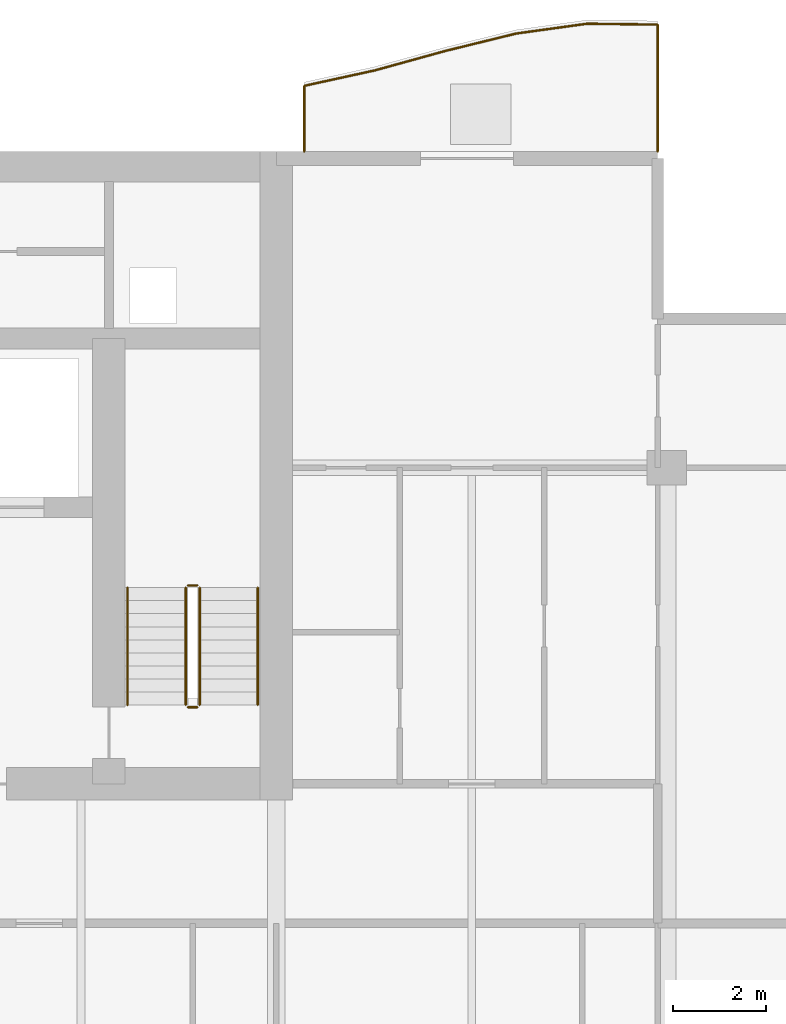
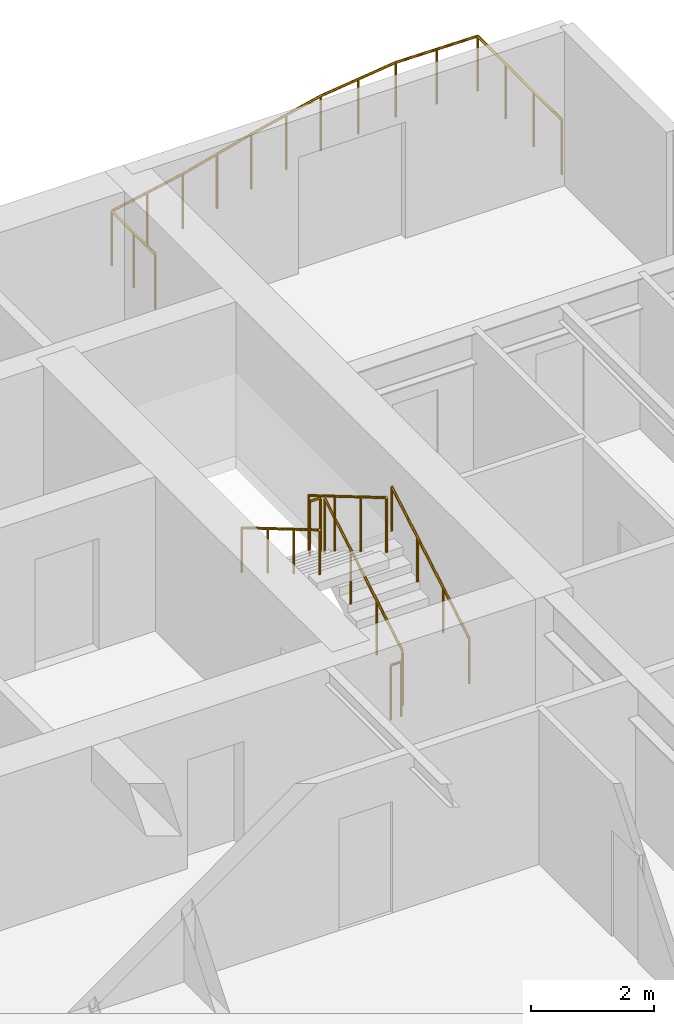
# One storey, part 15 of 16: 7 railings.
"""IFC4 building model written with IfcOpenShell, lengths in metres."""

import ifcopenshell
import ifcopenshell.guid

model = None  # the IFC model being written
_history = None  # IfcOwnerHistory: only IFC2X3 demands one
_inside = {}  # id of a spatial element -> (the spatial element, [elements in it])
_under = {}  # id of a project, library or spatial element -> (it, [spatial elements below it])
_declared = {}  # id of a project -> (the project, [libraries it declares])
_typed = {}  # id of a type object -> (the type object, [elements of that type])
_made_of = {}  # id of a material, layer set ... -> (it, [elements and type objects made of it])


def new_model(schema):
    """Start an empty IFC model of exactly this schema.

    Asked for "IFC4X3", IfcOpenShell would pick the latest addendum, in which some entities
    have other attributes; the version numbers below select the first issue.
    IFC2X3 requires an IfcOwnerHistory on every rooted entity: one is made here for all.
    """
    global model, _history
    if schema == "IFC4X3":
        model = ifcopenshell.file(schema_version=(4, 3, 0, 0))
    else:
        model = ifcopenshell.file(schema=schema)
    _inside.clear()
    _under.clear()
    _declared.clear()
    _typed.clear()
    _made_of.clear()
    _history = None
    if model.schema == "IFC2X3":
        org = make("IfcOrganization", Name="unknown")
        user = make(
            "IfcPersonAndOrganization",
            ThePerson=make("IfcPerson", FamilyName="unknown"),
            TheOrganization=org,
        )
        app = make(
            "IfcApplication",
            ApplicationDeveloper=org,
            Version="unknown",
            ApplicationFullName="unknown",
            ApplicationIdentifier="unknown",
        )
        _history = make(
            "IfcOwnerHistory",
            OwningUser=user,
            OwningApplication=app,
            ChangeAction="ADDED",
            CreationDate=0,
        )
    return model


def make(cls, **values):
    """One entity of the class cls with the attributes given. An attribute that is None is left unset."""
    return model.create_entity(
        cls, **{name: value for name, value in values.items() if value is not None}
    )


def rooted(cls, **values):
    """An entity with a GlobalId (a new one), such as an element, a storey or a relation."""
    return make(cls, GlobalId=ifcopenshell.guid.new(), OwnerHistory=_history, **values)


def si_unit(unit_type, name, prefix=None):
    """IfcSIUnit, for example si_unit("LENGTHUNIT", "METRE", prefix="MILLI")."""
    return make("IfcSIUnit", UnitType=unit_type, Prefix=prefix, Name=name)


def assignment(units):
    """IfcUnitAssignment: the units of a project."""
    return None if units is None else make("IfcUnitAssignment", Units=units)


def point(xyz):
    """IfcCartesianPoint."""
    return None if xyz is None else make("IfcCartesianPoint", Coordinates=xyz)


def direction(xyz):
    """IfcDirection."""
    return None if xyz is None else make("IfcDirection", DirectionRatios=xyz)


def frame(location, z_axis=None, x_axis=None):
    """IfcAxis2Placement3D, a coordinate frame: its origin and axes. An axis left out is left unset."""
    return make(
        "IfcAxis2Placement3D",
        Location=point(location),
        Axis=direction(z_axis),
        RefDirection=direction(x_axis),
    )


def frame_2d(location, x_axis=None):
    """IfcAxis2Placement2D, a coordinate frame in the plane: its origin and x axis."""
    return make(
        "IfcAxis2Placement2D", Location=point(location), RefDirection=direction(x_axis)
    )


def origin():
    """The frame at (0, 0, 0) with its axes left unset."""
    return frame((0.0, 0.0, 0.0))


def origin_2d():
    """The frame at (0, 0) in the plane with its x axis left unset."""
    return frame_2d((0.0, 0.0))


def place(relative_to, where):
    """IfcLocalPlacement: puts the frame where relative to a parent placement (None: the world)."""
    return make(
        "IfcLocalPlacement", PlacementRelTo=relative_to, RelativePlacement=where
    )


def context(
    kind, dimensions, precision=None, world=None, true_north=None, identifier=None
):
    """IfcGeometricRepresentationContext, for example the 3D "Model" context."""
    return make(
        "IfcGeometricRepresentationContext",
        ContextIdentifier=identifier,
        ContextType=kind,
        CoordinateSpaceDimension=dimensions,
        Precision=precision,
        WorldCoordinateSystem=world,
        TrueNorth=true_north,
    )


def subcontext(parent, identifier, kind, view, scale=None):
    """IfcGeometricRepresentationSubContext, for example "Body" below "Model"."""
    return make(
        "IfcGeometricRepresentationSubContext",
        ContextIdentifier=identifier,
        ContextType=kind,
        ParentContext=parent,
        TargetScale=scale,
        TargetView=view,
    )


def project(units=None, contexts=None):
    """IfcProject with its units and contexts."""
    return rooted(
        "IfcProject",
        Name="project",
        RepresentationContexts=contexts,
        UnitsInContext=assignment(units),
    )


def spatial(cls, under=None, at=None, **own):
    """A site, building, storey or space (cls), placed at a placement, below another one or the project."""
    s = rooted(cls, ObjectPlacement=at, **own)
    if under is not None:
        _under.setdefault(under.id(), (under, []))[1].append(s)
    return s


def profile(cls, at=None, kind="AREA", **sizes):
    """A parametric profile (cls). Its sizes go by their IFC names, for example OverallWidth=200.0."""
    return make(cls, ProfileType=kind, Position=at, **sizes)


def circle(**sizes):
    """IfcCircleProfileDef."""
    return profile("IfcCircleProfileDef", **sizes)


def extrude(swept, where, along, depth):
    """IfcExtrudedAreaSolid: the profile swept, set in the frame where, extruded along a direction by depth."""
    return make(
        "IfcExtrudedAreaSolid",
        SweptArea=swept,
        Position=where,
        ExtrudedDirection=direction(along),
        Depth=depth,
    )


def shape(context_of_items, identifier, shape_type, items):
    """IfcShapeRepresentation: the items that make up one representation, for example the "Body"."""
    return make(
        "IfcShapeRepresentation",
        ContextOfItems=context_of_items,
        RepresentationIdentifier=identifier,
        RepresentationType=shape_type,
        Items=items,
    )


def material(Name=None, Category=None):
    """IfcMaterial."""
    return make("IfcMaterial", Name=Name, Category=Category)


def made_of(thing, what):
    """Note that an element or type object is made of a material, layer set ...; save() writes the relation."""
    if what is not None:
        _made_of.setdefault(what.id(), (what, []))[1].append(thing)
    return thing


def type_object(cls, material=None, **own):
    """A type object (cls), such as IfcWallType, which elements share."""
    return made_of(rooted(cls, **own), material)


def element(
    cls,
    number,
    at=None,
    inside=None,
    cuts=None,
    type_object=None,
    material=None,
    context=None,
    identifier="Body",
    shape_type=None,
    held_by="IfcProductDefinitionShape",
    body=None,
    shapes=None,
    **own,
):
    """One element of the class cls, such as IfcWall. Its Tag is "e" and its number.

    at: its placement. inside: the storey or other place that contains it. cuts: it is an
    opening in that element (IfcRelVoidsElement). A single representation is given by context,
    identifier, shape_type and body (its items); several are given by shapes. held_by: the class
    of the entity that holds the representations. save() writes the other relations.
    """
    e = rooted(cls, Tag="e%d" % number, ObjectPlacement=at, **own)
    if body is not None:
        shapes = [shape(context, identifier, shape_type, body)]
    if shapes is not None:
        e.Representation = make(held_by, Representations=shapes)
    if inside is not None:
        _inside.setdefault(inside.id(), (inside, []))[1].append(e)
    if cuts is not None:
        rooted(
            "IfcRelVoidsElement", RelatingBuildingElement=cuts, RelatedOpeningElement=e
        )
    if type_object is not None:
        _typed.setdefault(type_object.id(), (type_object, []))[1].append(e)
    return made_of(e, material)


def aggregate(whole, parts):
    """IfcRelAggregates: a whole, such as a stair, and the parts it consists of."""
    return rooted("IfcRelAggregates", RelatingObject=whole, RelatedObjects=parts)


def save(model, path):
    """Write the relations noted so far, then the file.

    IfcRelAggregates (storeys below a building ...), IfcRelContainedInSpatialStructure (elements
    in a storey), IfcRelDefinesByType, IfcRelAssociatesMaterial and IfcRelDeclares: one each for
    every whole, place, type object, material and project.
    """
    for whole, parts in _under.values():
        aggregate(whole, parts)
    for where, things in _inside.values():
        rooted(
            "IfcRelContainedInSpatialStructure",
            RelatedElements=things,
            RelatingStructure=where,
        )
    for kind, things in _typed.values():
        rooted("IfcRelDefinesByType", RelatedObjects=things, RelatingType=kind)
    for what, things in _made_of.values():
        rooted("IfcRelAssociatesMaterial", RelatedObjects=things, RelatingMaterial=what)
    for by, libraries in _declared.values():
        rooted("IfcRelDeclares", RelatingContext=by, RelatedDefinitions=libraries)
    model.write(path)


model = new_model("IFC4")

# Units and contexts
model_context = context("Model", 3, precision=1e-05, world=origin(), true_north=direction((0.0, 1.0)))
body_context = subcontext(model_context, "Body", "Model", "MODEL_VIEW")
ifc_project = project(units=[si_unit("LENGTHUNIT", "METRE"), si_unit("AREAUNIT", "SQUARE_METRE"), si_unit("VOLUMEUNIT", "CUBIC_METRE"), si_unit("PLANEANGLEUNIT", "RADIAN"), si_unit("MASSUNIT", "GRAM", prefix="KILO")], contexts=[model_context])

# Site, building, storey
site_placement = place(None, origin())
site = spatial("IfcSite", under=ifc_project, at=site_placement, CompositionType="ELEMENT")
building_placement = place(site_placement, origin())
building = spatial("IfcBuilding", under=site, at=building_placement, Name="Caelmar Bay Residences", CompositionType="ELEMENT")
storey_placement = place(building_placement, frame((0.0, 0.0, 211.5)))
storey = spatial("IfcBuildingStorey", under=building, at=storey_placement, Name="L59", CompositionType="ELEMENT", Elevation=211.5)

# Railings
ifc_material_1 = material(Name="Anodised bronze handrail with laminated hurricane glass infill", Category="glass")
railing_type_1 = type_object("IfcRailingType", Name="RL-BAL-1100", PredefinedType="BALUSTRADE", material=ifc_material_1)
railing_1_placement = place(storey_placement, frame((67.699951171875, 50.60009765625, 0.0)))
element("IfcRailing", 1, at=railing_1_placement, inside=storey, type_object=railing_type_1, Name="L59 north_east Balcony Balustrade", PredefinedType="BALUSTRADE", context=body_context, shape_type="SweptSolid", body=[
    extrude(circle(Radius=0.02392578125, at=origin_2d()), frame((0.0, 0.0, 1.076171875), z_axis=(0.0, 1.0, 0.0), x_axis=(-1.0, 0.0, 0.0)), (0.0, 0.0, 1.0), 2.7294921875),
    extrude(circle(Radius=0.02392578125, at=origin_2d()), frame((0.0, 2.7294921875, 1.076171875), z_axis=(-0.999921532492, 0.012527124885, 0.0), x_axis=(-0.012527124885, -0.999921532492, 0.0)), (0.0, 0.0, 1.0), 1.52001953125),
    extrude(circle(Radius=0.02392578125, at=origin_2d()), frame((-1.52001953125, 2.74853515625, 1.076171875), z_axis=(-0.990551196857, -0.137143451926, 0.0), x_axis=(0.137143451926, -0.990551196857, 0.0)), (0.0, 0.0, 1.0), 1.534423828125),
    extrude(circle(Radius=0.02392578125, at=origin_2d()), frame((-3.0400390625, 2.5380859375, 1.076171875), z_axis=(-0.971143394628, -0.238496346031, 0.0), x_axis=(0.238496346031, -0.971143394628, 0.0)), (0.0, 0.0, 1.0), 1.565185546875),
    extrude(circle(Radius=0.02392578125, at=origin_2d()), frame((-4.56005859375, 2.164794921875, 1.076171875), z_axis=(-0.964041885028, -0.265750341319, 0.0), x_axis=(0.265750341319, -0.964041885028, 0.0)), (0.0, 0.0, 1.0), 1.576416015625),
    extrude(circle(Radius=0.02392578125, at=origin_2d()), frame((-6.079833984375, 1.745849609375, 1.076171875), z_axis=(-0.976865202557, -0.2138559703, 0.0), x_axis=(0.2138559703, -0.976865202557, 0.0)), (0.0, 0.0, 1.0), 1.555908203125),
    extrude(circle(Radius=0.02392578125, at=origin_2d()), frame((-7.599853515625, 1.4130859375, 1.076171875), z_axis=(0.0, -1.0, 0.0), x_axis=(1.0, 0.0, 0.0)), (0.0, 0.0, 1.0), 1.4130859375),
    extrude(circle(Radius=0.02099609375, at=origin_2d()), origin(), (0.0, 0.0, 1.0), 1.052001953125),
    extrude(circle(Radius=0.02099609375, at=origin_2d()), frame((0.0, 0.909912109375, 0.0)), (0.0, 0.0, 1.0), 1.052001953125),
    extrude(circle(Radius=0.02099609375, at=origin_2d()), frame((0.0, 1.819580078125, 0.0)), (0.0, 0.0, 1.0), 1.052001953125),
    extrude(circle(Radius=0.02099609375, at=origin_2d()), frame((0.0, 2.7294921875, 0.0)), (0.0, 0.0, 1.0), 1.052001953125),
    extrude(circle(Radius=0.02099609375, at=origin_2d()), frame((-0.760009765625, 2.739013671875, 0.0)), (0.0, 0.0, 1.0), 1.052001953125),
    extrude(circle(Radius=0.02099609375, at=origin_2d()), frame((-1.52001953125, 2.74853515625, 0.0)), (0.0, 0.0, 1.0), 1.052001953125),
    extrude(circle(Radius=0.02099609375, at=origin_2d()), frame((-2.280029296875, 2.643310546875, 0.0)), (0.0, 0.0, 1.0), 1.052001953125),
    extrude(circle(Radius=0.02099609375, at=origin_2d()), frame((-3.0400390625, 2.5380859375, 0.0)), (0.0, 0.0, 1.0), 1.052001953125),
    extrude(circle(Radius=0.02099609375, at=origin_2d()), frame((-3.800048828125, 2.3515625, 0.0)), (0.0, 0.0, 1.0), 1.052001953125),
    extrude(circle(Radius=0.02099609375, at=origin_2d()), frame((-4.56005859375, 2.164794921875, 0.0)), (0.0, 0.0, 1.0), 1.052001953125),
    extrude(circle(Radius=0.02099609375, at=origin_2d()), frame((-5.31982421875, 1.955322265625, 0.0)), (0.0, 0.0, 1.0), 1.052001953125),
    extrude(circle(Radius=0.02099609375, at=origin_2d()), frame((-6.079833984375, 1.745849609375, 0.0)), (0.0, 0.0, 1.0), 1.052001953125),
    extrude(circle(Radius=0.02099609375, at=origin_2d()), frame((-6.83984375, 1.57958984375, 0.0)), (0.0, 0.0, 1.0), 1.052001953125),
    extrude(circle(Radius=0.02099609375, at=origin_2d()), frame((-7.599853515625, 1.4130859375, 0.0)), (0.0, 0.0, 1.0), 1.052001953125),
    extrude(circle(Radius=0.02099609375, at=origin_2d()), frame((-7.599853515625, 0.70654296875, 0.0)), (0.0, 0.0, 1.0), 1.052001953125),
    extrude(circle(Radius=0.02099609375, at=origin_2d()), frame((-7.599853515625, 0.0, 0.0)), (0.0, 0.0, 1.0), 1.052001953125),
])
ifc_material_2 = material(Name="Painted galvanized steel stair guard 1100 mm", Category="steel")
railing_type_2 = type_object("IfcRailingType", Name="RL-GRD-1100", PredefinedType="GUARDRAIL", material=ifc_material_2)
railing_2_placement = place(storey_placement, frame((57.85009765625, 38.699951171875, 0.1650390625)))
element("IfcRailing", 2, at=railing_2_placement, inside=storey, type_object=railing_type_2, Name="L59 ST2 stair guard 1", PredefinedType="GUARDRAIL", context=body_context, shape_type="SweptSolid", body=[
    extrude(circle(Radius=0.02392578125, at=origin_2d()), frame((0.0, 0.0, 1.076171875), z_axis=(0.0, 0.861560626758, 0.507654692109), x_axis=(-1.0, 0.0, 0.0)), (0.0, 0.0, 1.0), 2.925048828125),
    extrude(circle(Radius=0.02099609375, at=origin_2d()), origin(), (0.0, 0.0, 1.0), 1.052001953125),
    extrude(circle(Radius=0.02099609375, at=origin_2d()), frame((0.0, 0.840087890625, 0.494873046875)), (0.0, 0.0, 1.0), 1.052001953125),
    extrude(circle(Radius=0.02099609375, at=origin_2d()), frame((0.0, 1.679931640625, 0.989990234375)), (0.0, 0.0, 1.0), 1.052001953125),
    extrude(circle(Radius=0.02099609375, at=origin_2d()), frame((0.0, 2.52001953125, 1.48486328125)), (0.0, 0.0, 1.0), 1.052001953125),
])
railing_3_placement = place(storey_placement, frame((57.800048828125, 41.27001953125, 1.64990234375)))
element("IfcRailing", 3, at=railing_3_placement, inside=storey, type_object=railing_type_2, Name="L59 ST2 stair guard 2", PredefinedType="GUARDRAIL", context=body_context, shape_type="SweptSolid", body=[
    extrude(circle(Radius=0.02392578125, at=origin_2d()), frame((0.0, 0.0, 1.076171875), z_axis=(-1.0, 0.0, 0.0), x_axis=(0.0, -1.0, 0.0)), (0.0, 0.0, 1.0), 0.199951171875),
    extrude(circle(Radius=0.02099609375, at=origin_2d()), origin(), (0.0, 0.0, 1.0), 1.052001953125),
    extrude(circle(Radius=0.02099609375, at=origin_2d()), frame((-0.199951171875, 0.0, 0.0)), (0.0, 0.0, 1.0), 1.052001953125),
])
railing_4_placement = place(storey_placement, frame((57.550048828125, 41.219970703125, 1.81494140625)))
element("IfcRailing", 4, at=railing_4_placement, inside=storey, type_object=railing_type_2, Name="L59 ST2 stair guard 3", PredefinedType="GUARDRAIL", context=body_context, shape_type="SweptSolid", body=[
    extrude(circle(Radius=0.02392578125, at=origin_2d()), frame((0.0, 0.0, 1.076171875), z_axis=(0.0, -0.86152411907, 0.507716645641), x_axis=(1.0, 0.0, 0.0)), (0.0, 0.0, 1.0), 2.925048828125),
    extrude(circle(Radius=0.02099609375, at=origin_2d()), origin(), (0.0, 0.0, 1.0), 1.052001953125),
    extrude(circle(Radius=0.02099609375, at=origin_2d()), frame((0.0, -0.840087890625, 0.4951171875)), (0.0, 0.0, 1.0), 1.052001953125),
    extrude(circle(Radius=0.02099609375, at=origin_2d()), frame((0.0, -1.679931640625, 0.989990234375)), (0.0, 0.0, 1.0), 1.052001953125),
    extrude(circle(Radius=0.02099609375, at=origin_2d()), frame((0.0, -2.52001953125, 1.485107421875)), (0.0, 0.0, 1.0), 1.052001953125),
])
railing_5_placement = place(storey_placement, frame((57.800048828125, 38.64990234375, 0.0)))
element("IfcRailing", 5, at=railing_5_placement, inside=storey, type_object=railing_type_2, Name="L59 ST2 stair guard 4", PredefinedType="GUARDRAIL", context=body_context, shape_type="SweptSolid", body=[
    extrude(circle(Radius=0.02392578125, at=origin_2d()), frame((0.0, 0.0, 1.076171875), z_axis=(-1.0, 0.0, 0.0), x_axis=(0.0, -1.0, 0.0)), (0.0, 0.0, 1.0), 0.199951171875),
    extrude(circle(Radius=0.02099609375, at=origin_2d()), origin(), (0.0, 0.0, 1.0), 1.052001953125),
    extrude(circle(Radius=0.02099609375, at=origin_2d()), frame((-0.199951171875, 0.0, 0.0)), (0.0, 0.0, 1.0), 1.052001953125),
])
ifc_material_3 = material(Name="Brushed bronze stainless-steel tubular handrail 900 mm", Category="steel")
railing_type_3 = type_object("IfcRailingType", Name="RL-HND-900", PredefinedType="HANDRAIL", material=ifc_material_3)
railing_6_placement = place(storey_placement, frame((59.10009765625, 38.699951171875, 0.1650390625)))
element("IfcRailing", 6, at=railing_6_placement, inside=storey, type_object=railing_type_3, Name="L59 ST2 stair handrail 1", PredefinedType="HANDRAIL", context=body_context, shape_type="SweptSolid", body=[
    extrude(circle(Radius=0.02392578125, at=origin_2d()), frame((0.0, 0.0, 0.8759765625), z_axis=(0.0, 0.861560626758, 0.507654692109), x_axis=(-1.0, 0.0, 0.0)), (0.0, 0.0, 1.0), 2.925048828125),
    extrude(circle(Radius=0.02099609375, at=origin_2d()), origin(), (0.0, 0.0, 1.0), 0.851806640625),
    extrude(circle(Radius=0.02099609375, at=origin_2d()), frame((0.0, 0.840087890625, 0.494873046875)), (0.0, 0.0, 1.0), 0.851806640625),
    extrude(circle(Radius=0.02099609375, at=origin_2d()), frame((0.0, 1.679931640625, 0.989990234375)), (0.0, 0.0, 1.0), 0.851806640625),
    extrude(circle(Radius=0.02099609375, at=origin_2d()), frame((0.0, 2.52001953125, 1.48486328125)), (0.0, 0.0, 1.0), 0.851806640625),
])
railing_7_placement = place(storey_placement, frame((56.300048828125, 41.219970703125, 1.81494140625)))
element("IfcRailing", 7, at=railing_7_placement, inside=storey, type_object=railing_type_3, Name="L59 ST2 stair handrail 2", PredefinedType="HANDRAIL", context=body_context, shape_type="SweptSolid", body=[
    extrude(circle(Radius=0.02392578125, at=origin_2d()), frame((0.0, 0.0, 0.8759765625), z_axis=(0.0, -0.86152411907, 0.507716645641), x_axis=(1.0, 0.0, 0.0)), (0.0, 0.0, 1.0), 2.925048828125),
    extrude(circle(Radius=0.02099609375, at=origin_2d()), origin(), (0.0, 0.0, 1.0), 0.851806640625),
    extrude(circle(Radius=0.02099609375, at=origin_2d()), frame((0.0, -0.840087890625, 0.4951171875)), (0.0, 0.0, 1.0), 0.851806640625),
    extrude(circle(Radius=0.02099609375, at=origin_2d()), frame((0.0, -1.679931640625, 0.989990234375)), (0.0, 0.0, 1.0), 0.851806640625),
    extrude(circle(Radius=0.02099609375, at=origin_2d()), frame((0.0, -2.52001953125, 1.485107421875)), (0.0, 0.0, 1.0), 0.851806640625),
])

save(model, "model.ifc")
